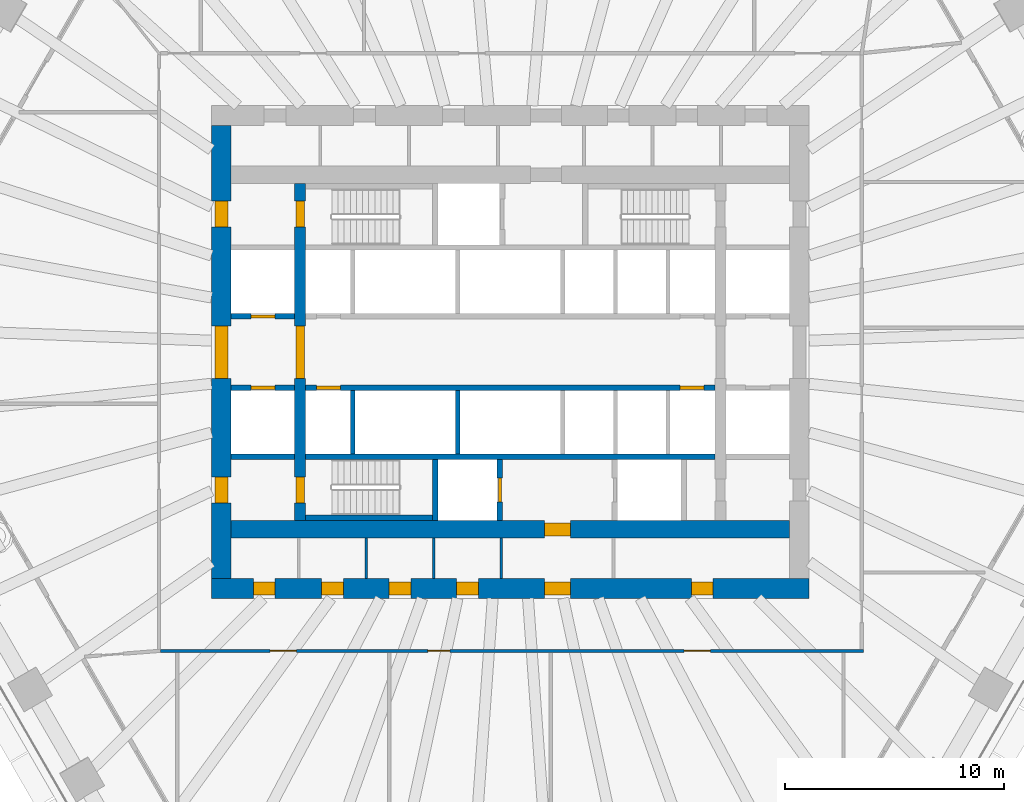
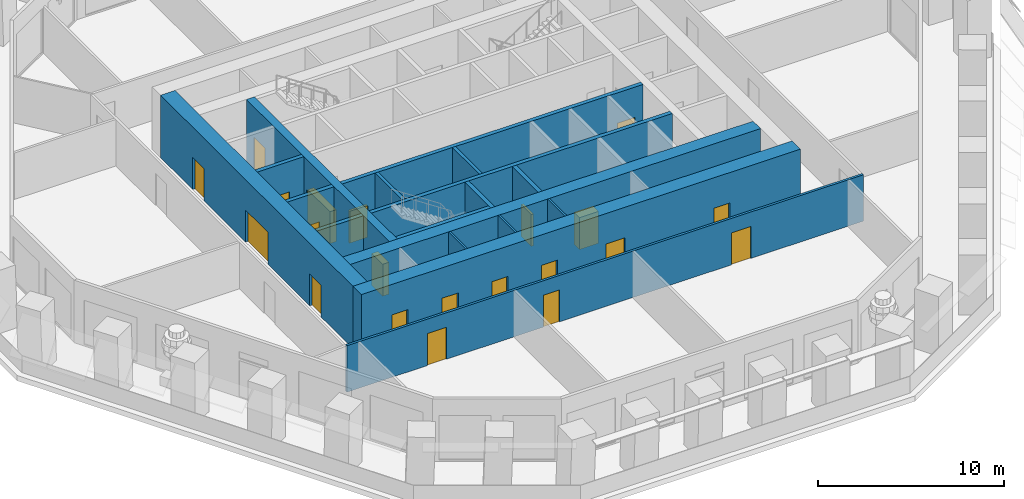
# One storey, part 4 of 12: 21 doors, 18 walls, 21 openings.
"""IFC4 building model written with IfcOpenShell, lengths in metres."""

from ifc_helpers import new_model, si_unit, direction, frame, frame_2d, origin, place, context, subcontext, project, spatial, rectangle, extrude, material, layer, layer_set, type_object, element, fill, save


model = new_model("IFC4")

# Units and contexts
model_context = context("Model", 3, precision=1e-05, world=origin(), true_north=direction((0.0, 1.0)))
body_context = subcontext(model_context, "Body", "Model", "MODEL_VIEW")
ifc_project = project(units=[si_unit("LENGTHUNIT", "METRE"), si_unit("AREAUNIT", "SQUARE_METRE"), si_unit("VOLUMEUNIT", "CUBIC_METRE"), si_unit("PLANEANGLEUNIT", "RADIAN"), si_unit("MASSUNIT", "GRAM", prefix="KILO")], contexts=[model_context])

# Site, building, storey
site_placement = place(None, origin())
site = spatial("IfcSite", under=ifc_project, at=site_placement, CompositionType="ELEMENT")
building_placement = place(site_placement, origin())
building = spatial("IfcBuilding", under=site, at=building_placement, Name="Frailejon Research Tower", CompositionType="ELEMENT")
storey_placement = place(building_placement, frame((0.0, 0.0, 49.800048828125)))
storey = spatial("IfcBuildingStorey", under=building, at=storey_placement, Name="L11", CompositionType="ELEMENT", Elevation=49.800048828125)

# Walls
ifc_material_1 = material(Name="Plasterboard on steel studs", Category="steel")
ifc_layer_1 = layer(ifc_material_1, 0.125)
ifc_layer_set_1 = layer_set([ifc_layer_1], Name="Core partition 125")
wall_type_1 = type_object("IfcWallType", Name="Core partition 125", PredefinedType="PARTITIONING", material=ifc_layer_set_1)
for number, where, z_axis, x_axis, name in (
    (1, (-6.581298828125, -10.35009765625, 0.0), (0.0, 0.0, 1.0), (0.0, 1.0, 0.0), "Core partition"),
    (2, (-3.496826171875, -10.35009765625, 0.0), (0.0, 0.0, 1.0), (0.0, 1.0, 0.0), "Core partition"),
    (3, (-0.41259765625, -10.35009765625, 0.0), (0.0, 0.0, 1.0), (0.0, 1.0, 0.0), "Core partition"),
):
    element("IfcWall", number, at=place(storey_placement, frame(where, z_axis=z_axis, x_axis=x_axis)), inside=storey, type_object=wall_type_1, Name=name, PredefinedType="PARTITIONING", context=body_context, shape_type="SweptSolid", body=[
        extrude(rectangle(XDim=1.85009765625, YDim=0.125, at=frame_2d((0.925048828125, 0.0))), origin(), (0.0, 0.0, 1.0), 4.099853515625),
    ])

# Wall, openings, doors
ifc_material_2 = material(Name="Concrete C70/85", Category="concrete")
ifc_layer_2 = layer(ifc_material_2, 0.5)
ifc_layer_set_2 = layer_set([ifc_layer_2], Name="Core shear wall 500 C70/85")
wall_type_2 = type_object("IfcWallType", Name="Core shear wall 500 C70/85", PredefinedType="SHEAR", material=ifc_layer_set_2)
wall_1_placement = place(storey_placement, frame((-9.60009765625, -7.699951171875, 0.0), z_axis=(0.0, 0.0, 1.0), x_axis=(0.0, 1.0, 0.0)))
wall_1 = element("IfcWall", 4, at=wall_1_placement, inside=storey, type_object=wall_type_2, Name="Core shear wall", PredefinedType="SHEAR", context=body_context, shape_type="SweptSolid", body=[
    extrude(rectangle(XDim=15.39990234375, YDim=0.5, at=frame_2d((7.699951171875, 0.0))), origin(), (0.0, 0.0, 1.0), 4.099853515625),
])
opening_1_placement = place(wall_1_placement, frame((6.5, 0.0, 0.0)))
opening_1 = element("IfcOpeningElement", 5, at=opening_1_placement, cuts=wall_1, Name="Opening D2", PredefinedType="OPENING", context=body_context, shape_type="SweptSolid", body=[
    extrude(rectangle(XDim=2.39990234375, YDim=2.10009765625, at=frame_2d((1.199951171875, 1.050048828125))), frame((0.0, 0.260009765625, 0.0), z_axis=(0.0, -1.0, 0.0), x_axis=(1.0, 0.0, 0.0)), (0.0, 0.0, 1.0), 0.52001953125),
])
opening_2_placement = place(wall_1_placement, frame((13.39990234375, 0.0, 0.0)))
opening_2 = element("IfcOpeningElement", 6, at=opening_2_placement, cuts=wall_1, Name="Opening D1", PredefinedType="OPENING", context=body_context, shape_type="SweptSolid", body=[
    extrude(rectangle(XDim=1.199951171875, YDim=2.10009765625, at=frame_2d((0.60009765625, 1.050048828125))), frame((0.0, 0.260009765625, 0.0), z_axis=(0.0, -1.0, 0.0), x_axis=(1.0, 0.0, 0.0)), (0.0, 0.0, 1.0), 0.52001953125),
])
opening_3_placement = place(wall_1_placement, frame((0.800048828125, 0.0, 0.0)))
opening_3 = element("IfcOpeningElement", 7, at=opening_3_placement, cuts=wall_1, Name="Opening D1", PredefinedType="OPENING", context=body_context, shape_type="SweptSolid", body=[
    extrude(rectangle(XDim=1.199951171875, YDim=2.10009765625, at=frame_2d((0.60009765625, 1.050048828125))), frame((0.0, 0.260009765625, 0.0), z_axis=(0.0, -1.0, 0.0), x_axis=(1.0, 0.0, 0.0)), (0.0, 0.0, 1.0), 0.52001953125),
])
ifc_material_3 = material(Name="Steel", Category="steel")
door_type_1 = type_object("IfcDoorType", Name="Lobby double door", OperationType="DOUBLE_DOOR_SINGLE_SWING", PredefinedType="DOOR", material=ifc_material_3)
door_1_placement = place(opening_1_placement, origin())
door_1 = element("IfcDoor", 8, at=door_1_placement, inside=storey, type_object=door_type_1, Name="Lobby door", OperationType="DOUBLE_DOOR_SINGLE_SWING", OverallHeight=2.10009765625, OverallWidth=2.39990234375, PredefinedType="DOOR", context=body_context, shape_type="SweptSolid", body=[
    extrude(rectangle(XDim=2.39990234375, YDim=2.10009765625, at=frame_2d((1.199951171875, 1.050048828125))), frame((0.0, 0.199951171875, 0.0), z_axis=(0.0, -1.0, 0.0), x_axis=(1.0, 0.0, 0.0)), (0.0, 0.0, 1.0), 0.39990234375),
])
fill(opening_1, door_1)
ifc_material_4 = material(Name="Steel", Category="steel")
door_type_2 = type_object("IfcDoorType", Name="Stair door", OperationType="SINGLE_SWING_LEFT", PredefinedType="DOOR", material=ifc_material_4)
door_2_placement = place(opening_2_placement, origin())
door_2 = element("IfcDoor", 9, at=door_2_placement, inside=storey, type_object=door_type_2, Name="Stair door ST1", OperationType="SINGLE_SWING_RIGHT", OverallHeight=2.10009765625, OverallWidth=1.199951171875, PredefinedType="DOOR", context=body_context, shape_type="SweptSolid", body=[
    extrude(rectangle(XDim=1.199951171875, YDim=2.10009765625, at=frame_2d((0.60009765625, 1.050048828125))), frame((0.0, 0.199951171875, 0.0), z_axis=(0.0, -1.0, 0.0), x_axis=(1.0, 0.0, 0.0)), (0.0, 0.0, 1.0), 0.39990234375),
])
fill(opening_2, door_2)
door_3_placement = place(opening_3_placement, origin())
door_3 = element("IfcDoor", 10, at=door_3_placement, inside=storey, type_object=door_type_2, Name="Stair door ST2", OperationType="SINGLE_SWING_RIGHT", OverallHeight=2.10009765625, OverallWidth=1.199951171875, PredefinedType="DOOR", context=body_context, shape_type="SweptSolid", body=[
    extrude(rectangle(XDim=1.199951171875, YDim=2.10009765625, at=frame_2d((0.60009765625, 1.050048828125))), frame((0.0, 0.199951171875, 0.0), z_axis=(0.0, -1.0, 0.0), x_axis=(1.0, 0.0, 0.0)), (0.0, 0.0, 1.0), 0.39990234375),
])
fill(opening_3, door_3)

# Wall, opening, door
ifc_material_5 = material(Name="Concrete C70/85", Category="concrete")
ifc_layer_3 = layer(ifc_material_5, 0.800048828125)
ifc_layer_set_3 = layer_set([ifc_layer_3], Name="Core shear wall 800 C70/85")
wall_type_3 = type_object("IfcWallType", Name="Core shear wall 800 C70/85", PredefinedType="SHEAR", material=ifc_layer_set_3)
wall_2_placement = place(storey_placement, frame((-12.75, -8.10009765625, 0.0), z_axis=(0.0, 0.0, 1.0), x_axis=(1.0, 0.0, 0.0)))
wall_2 = element("IfcWall", 11, at=wall_2_placement, inside=storey, type_object=wall_type_3, Name="Core shear wall", PredefinedType="SHEAR", context=body_context, shape_type="SweptSolid", body=[
    extrude(rectangle(XDim=25.5, YDim=0.800048828125, at=frame_2d((12.75, 0.0))), origin(), (0.0, 0.0, 1.0), 4.099853515625),
])
opening_4_placement = place(wall_2_placement, frame((14.300048828125, 0.0, 0.0)))
opening_4 = element("IfcOpeningElement", 12, at=opening_4_placement, cuts=wall_2, Name="Opening D3", PredefinedType="OPENING", context=body_context, shape_type="SweptSolid", body=[
    extrude(rectangle(XDim=1.199951171875, YDim=2.10009765625, at=frame_2d((0.60009765625, 1.050048828125))), frame((0.0, 0.409912109375, 0.0), z_axis=(0.0, -1.0, 0.0), x_axis=(1.0, 0.0, 0.0)), (0.0, 0.0, 1.0), 0.820068359375),
])
ifc_material_6 = material(Name="Steel", Category="steel")
door_type_3 = type_object("IfcDoorType", Name="Firefighting lobby door", OperationType="SINGLE_SWING_LEFT", PredefinedType="DOOR", material=ifc_material_6)
door_4_placement = place(opening_4_placement, origin())
door_4 = element("IfcDoor", 13, at=door_4_placement, inside=storey, type_object=door_type_3, Name="Firefighting lobby door", OperationType="SINGLE_SWING_RIGHT", OverallHeight=2.10009765625, OverallWidth=1.199951171875, PredefinedType="DOOR", context=body_context, shape_type="SweptSolid", body=[
    extrude(rectangle(XDim=1.199951171875, YDim=2.10009765625, at=frame_2d((0.60009765625, 1.050048828125))), frame((0.0, 0.300048828125, 0.0), z_axis=(0.0, -1.0, 0.0), x_axis=(1.0, 0.0, 0.0)), (0.0, 0.0, 1.0), 0.60009765625),
])
fill(opening_4, door_4)

# Wall, openings, doors
ifc_material_7 = material(Name="Concrete C70/85", Category="concrete")
ifc_layer_4 = layer(ifc_material_7, 0.89990234375)
ifc_layer_set_4 = layer_set([ifc_layer_4], Name="Core shear wall 900 C70/85")
wall_type_4 = type_object("IfcWallType", Name="Core shear wall 900 C70/85", PredefinedType="SHEAR", material=ifc_layer_set_4)
wall_3_placement = place(storey_placement, frame((-13.64990234375, -10.800048828125, 0.0), z_axis=(0.0, 0.0, 1.0), x_axis=(1.0, 0.0, 0.0)))
wall_3 = element("IfcWall", 14, at=wall_3_placement, inside=storey, type_object=wall_type_4, Name="Core shear wall", PredefinedType="SHEAR", context=body_context, shape_type="SweptSolid", body=[
    extrude(rectangle(XDim=27.2998046875, YDim=0.89990234375, at=frame_2d((13.64990234375, 0.0))), origin(), (0.0, 0.0, 1.0), 4.099853515625),
])
opening_5_placement = place(wall_3_placement, frame((1.910888671875, 0.0, 0.0)))
opening_5 = element("IfcOpeningElement", 15, at=opening_5_placement, cuts=wall_3, Name="Opening D4", PredefinedType="OPENING", context=body_context, shape_type="SweptSolid", body=[
    extrude(rectangle(XDim=1.0, YDim=2.10009765625, at=frame_2d((0.5, 1.050048828125))), frame((0.0, 0.4599609375, 0.0), z_axis=(0.0, -1.0, 0.0), x_axis=(1.0, 0.0, 0.0)), (0.0, 0.0, 1.0), 0.919921875),
])
opening_6_placement = place(wall_3_placement, frame((5.026611328125, 0.0, 0.0)))
opening_6 = element("IfcOpeningElement", 16, at=opening_6_placement, cuts=wall_3, Name="Opening D4", PredefinedType="OPENING", context=body_context, shape_type="SweptSolid", body=[
    extrude(rectangle(XDim=1.0, YDim=2.10009765625, at=frame_2d((0.5, 1.050048828125))), frame((0.0, 0.4599609375, 0.0), z_axis=(0.0, -1.0, 0.0), x_axis=(1.0, 0.0, 0.0)), (0.0, 0.0, 1.0), 0.919921875),
])
opening_7_placement = place(wall_3_placement, frame((8.11083984375, 0.0, 0.0)))
opening_7 = element("IfcOpeningElement", 17, at=opening_7_placement, cuts=wall_3, Name="Opening D4", PredefinedType="OPENING", context=body_context, shape_type="SweptSolid", body=[
    extrude(rectangle(XDim=1.0, YDim=2.10009765625, at=frame_2d((0.5, 1.050048828125))), frame((0.0, 0.4599609375, 0.0), z_axis=(0.0, -1.0, 0.0), x_axis=(1.0, 0.0, 0.0)), (0.0, 0.0, 1.0), 0.919921875),
])
opening_8_placement = place(wall_3_placement, frame((11.1953125, 0.0, 0.0)))
opening_8 = element("IfcOpeningElement", 18, at=opening_8_placement, cuts=wall_3, Name="Opening D4", PredefinedType="OPENING", context=body_context, shape_type="SweptSolid", body=[
    extrude(rectangle(XDim=1.0, YDim=2.10009765625, at=frame_2d((0.5, 1.050048828125))), frame((0.0, 0.4599609375, 0.0), z_axis=(0.0, -1.0, 0.0), x_axis=(1.0, 0.0, 0.0)), (0.0, 0.0, 1.0), 0.919921875),
])
opening_9_placement = place(wall_3_placement, frame((21.91259765625, 0.0, 0.0)))
opening_9 = element("IfcOpeningElement", 19, at=opening_9_placement, cuts=wall_3, Name="Opening D4", PredefinedType="OPENING", context=body_context, shape_type="SweptSolid", body=[
    extrude(rectangle(XDim=1.0, YDim=2.10009765625, at=frame_2d((0.5, 1.050048828125))), frame((0.0, 0.4599609375, 0.0), z_axis=(0.0, -1.0, 0.0), x_axis=(1.0, 0.0, 0.0)), (0.0, 0.0, 1.0), 0.919921875),
])
opening_10_placement = place(wall_3_placement, frame((15.199951171875, 0.0, 0.0)))
opening_10 = element("IfcOpeningElement", 20, at=opening_10_placement, cuts=wall_3, Name="Opening D3", PredefinedType="OPENING", context=body_context, shape_type="SweptSolid", body=[
    extrude(rectangle(XDim=1.199951171875, YDim=2.10009765625, at=frame_2d((0.60009765625, 1.050048828125))), frame((0.0, 0.4599609375, 0.0), z_axis=(0.0, -1.0, 0.0), x_axis=(1.0, 0.0, 0.0)), (0.0, 0.0, 1.0), 0.919921875),
])
door_5_placement = place(opening_10_placement, origin())
door_5 = element("IfcDoor", 21, at=door_5_placement, inside=storey, type_object=door_type_3, Name="Passage door", OperationType="SINGLE_SWING_RIGHT", OverallHeight=2.10009765625, OverallWidth=1.199951171875, PredefinedType="DOOR", context=body_context, shape_type="SweptSolid", body=[
    extrude(rectangle(XDim=1.199951171875, YDim=2.10009765625, at=frame_2d((0.60009765625, 1.050048828125))), frame((0.0, 0.300048828125, 0.0), z_axis=(0.0, -1.0, 0.0), x_axis=(1.0, 0.0, 0.0)), (0.0, 0.0, 1.0), 0.60009765625),
])
fill(opening_10, door_5)
ifc_material_8 = material(Name="Steel", Category="steel")
door_type_4 = type_object("IfcDoorType", Name="Service door", OperationType="SINGLE_SWING_LEFT", PredefinedType="DOOR", material=ifc_material_8)
door_6_placement = place(opening_5_placement, origin())
door_6 = element("IfcDoor", 22, at=door_6_placement, inside=storey, type_object=door_type_4, Name="Room door", OperationType="SINGLE_SWING_LEFT", OverallHeight=2.10009765625, OverallWidth=1.0, PredefinedType="DOOR", context=body_context, shape_type="SweptSolid", body=[
    extrude(rectangle(XDim=1.0, YDim=2.10009765625, at=frame_2d((0.5, 1.050048828125))), frame((0.0, 0.300048828125, 0.0), z_axis=(0.0, -1.0, 0.0), x_axis=(1.0, 0.0, 0.0)), (0.0, 0.0, 1.0), 0.60009765625),
])
fill(opening_5, door_6)
door_7_placement = place(opening_6_placement, origin())
door_7 = element("IfcDoor", 23, at=door_7_placement, inside=storey, type_object=door_type_4, Name="Room door", OperationType="SINGLE_SWING_RIGHT", OverallHeight=2.10009765625, OverallWidth=1.0, PredefinedType="DOOR", context=body_context, shape_type="SweptSolid", body=[
    extrude(rectangle(XDim=1.0, YDim=2.10009765625, at=frame_2d((0.5, 1.050048828125))), frame((0.0, 0.300048828125, 0.0), z_axis=(0.0, -1.0, 0.0), x_axis=(1.0, 0.0, 0.0)), (0.0, 0.0, 1.0), 0.60009765625),
])
fill(opening_6, door_7)
door_8_placement = place(opening_7_placement, origin())
door_8 = element("IfcDoor", 24, at=door_8_placement, inside=storey, type_object=door_type_4, Name="Room door", OperationType="SINGLE_SWING_LEFT", OverallHeight=2.10009765625, OverallWidth=1.0, PredefinedType="DOOR", context=body_context, shape_type="SweptSolid", body=[
    extrude(rectangle(XDim=1.0, YDim=2.10009765625, at=frame_2d((0.5, 1.050048828125))), frame((0.0, 0.300048828125, 0.0), z_axis=(0.0, -1.0, 0.0), x_axis=(1.0, 0.0, 0.0)), (0.0, 0.0, 1.0), 0.60009765625),
])
fill(opening_7, door_8)
door_9_placement = place(opening_8_placement, origin())
door_9 = element("IfcDoor", 25, at=door_9_placement, inside=storey, type_object=door_type_4, Name="Room door", OperationType="SINGLE_SWING_RIGHT", OverallHeight=2.10009765625, OverallWidth=1.0, PredefinedType="DOOR", context=body_context, shape_type="SweptSolid", body=[
    extrude(rectangle(XDim=1.0, YDim=2.10009765625, at=frame_2d((0.5, 1.050048828125))), frame((0.0, 0.300048828125, 0.0), z_axis=(0.0, -1.0, 0.0), x_axis=(1.0, 0.0, 0.0)), (0.0, 0.0, 1.0), 0.60009765625),
])
fill(opening_8, door_9)
door_10_placement = place(opening_9_placement, origin())
door_10 = element("IfcDoor", 26, at=door_10_placement, inside=storey, type_object=door_type_4, Name="Room door", OperationType="SINGLE_SWING_LEFT", OverallHeight=2.10009765625, OverallWidth=1.0, PredefinedType="DOOR", context=body_context, shape_type="SweptSolid", body=[
    extrude(rectangle(XDim=1.0, YDim=2.10009765625, at=frame_2d((0.5, 1.050048828125))), frame((0.0, 0.300048828125, 0.0), z_axis=(0.0, -1.0, 0.0), x_axis=(1.0, 0.0, 0.0)), (0.0, 0.0, 1.0), 0.60009765625),
])
fill(opening_9, door_10)

wall_4_placement = place(storey_placement, frame((-13.199951171875, -10.35009765625, 0.0), z_axis=(0.0, 0.0, 1.0), x_axis=(0.0, 1.0, 0.0)))
wall_4 = element("IfcWall", 27, at=wall_4_placement, inside=storey, type_object=wall_type_4, Name="Core shear wall", PredefinedType="SHEAR", context=body_context, shape_type="SweptSolid", body=[
    extrude(rectangle(XDim=20.7001953125, YDim=0.89990234375, at=frame_2d((10.35009765625, 0.0))), origin(), (0.0, 0.0, 1.0), 4.099853515625),
])
opening_11_placement = place(wall_4_placement, frame((9.14990234375, 0.0, 0.0)))
opening_11 = element("IfcOpeningElement", 28, at=opening_11_placement, cuts=wall_4, Name="Opening D2", PredefinedType="OPENING", context=body_context, shape_type="SweptSolid", body=[
    extrude(rectangle(XDim=2.39990234375, YDim=2.10009765625, at=frame_2d((1.199951171875, 1.050048828125))), frame((0.0, 0.4599609375, 0.0), z_axis=(0.0, -1.0, 0.0), x_axis=(1.0, 0.0, 0.0)), (0.0, 0.0, 1.0), 0.919921875),
])
opening_12_placement = place(wall_4_placement, frame((16.050048828125, 0.0, 0.0)))
opening_12 = element("IfcOpeningElement", 29, at=opening_12_placement, cuts=wall_4, Name="Opening D7", PredefinedType="OPENING", context=body_context, shape_type="SweptSolid", body=[
    extrude(rectangle(XDim=1.199951171875, YDim=2.10009765625, at=frame_2d((0.60009765625, 1.050048828125))), frame((0.0, 0.4599609375, 0.0), z_axis=(0.0, -1.0, 0.0), x_axis=(1.0, 0.0, 0.0)), (0.0, 0.0, 1.0), 0.919921875),
])
opening_13_placement = place(wall_4_placement, frame((3.449951171875, 0.0, 0.0)))
opening_13 = element("IfcOpeningElement", 30, at=opening_13_placement, cuts=wall_4, Name="Opening D7", PredefinedType="OPENING", context=body_context, shape_type="SweptSolid", body=[
    extrude(rectangle(XDim=1.199951171875, YDim=2.10009765625, at=frame_2d((0.60009765625, 1.050048828125))), frame((0.0, 0.4599609375, 0.0), z_axis=(0.0, -1.0, 0.0), x_axis=(1.0, 0.0, 0.0)), (0.0, 0.0, 1.0), 0.919921875),
])
door_11_placement = place(opening_11_placement, origin())
door_11 = element("IfcDoor", 31, at=door_11_placement, inside=storey, type_object=door_type_1, Name="Lobby door", OperationType="DOUBLE_DOOR_SINGLE_SWING", OverallHeight=2.10009765625, OverallWidth=2.39990234375, PredefinedType="DOOR", context=body_context, shape_type="SweptSolid", body=[
    extrude(rectangle(XDim=2.39990234375, YDim=2.10009765625, at=frame_2d((1.199951171875, 1.050048828125))), frame((0.0, 0.300048828125, 0.0), z_axis=(0.0, -1.0, 0.0), x_axis=(1.0, 0.0, 0.0)), (0.0, 0.0, 1.0), 0.60009765625),
])
fill(opening_11, door_11)
ifc_material_9 = material(Name="Steel", Category="steel")
door_type_5 = type_object("IfcDoorType", Name="Stair exit door", OperationType="SINGLE_SWING_LEFT", PredefinedType="DOOR", material=ifc_material_9)
door_12_placement = place(opening_12_placement, origin())
door_12 = element("IfcDoor", 32, at=door_12_placement, inside=storey, type_object=door_type_5, Name="Stair exit door ST1", OperationType="SINGLE_SWING_LEFT", OverallHeight=2.10009765625, OverallWidth=1.199951171875, PredefinedType="DOOR", context=body_context, shape_type="SweptSolid", body=[
    extrude(rectangle(XDim=1.199951171875, YDim=2.10009765625, at=frame_2d((0.60009765625, 1.050048828125))), frame((0.0, 0.300048828125, 0.0), z_axis=(0.0, -1.0, 0.0), x_axis=(1.0, 0.0, 0.0)), (0.0, 0.0, 1.0), 0.60009765625),
])
fill(opening_12, door_12)
door_13_placement = place(opening_13_placement, origin())
door_13 = element("IfcDoor", 33, at=door_13_placement, inside=storey, type_object=door_type_5, Name="Stair exit door ST2", OperationType="SINGLE_SWING_LEFT", OverallHeight=2.10009765625, OverallWidth=1.199951171875, PredefinedType="DOOR", context=body_context, shape_type="SweptSolid", body=[
    extrude(rectangle(XDim=1.199951171875, YDim=2.10009765625, at=frame_2d((0.60009765625, 1.050048828125))), frame((0.0, 0.300048828125, 0.0), z_axis=(0.0, -1.0, 0.0), x_axis=(1.0, 0.0, 0.0)), (0.0, 0.0, 1.0), 0.60009765625),
])
fill(opening_13, door_13)

ifc_material_10 = material(Name="Gypsum board and masonry partition", Category="masonry")
ifc_layer_5 = layer(ifc_material_10, 0.14990234375)
ifc_layer_set_5 = layer_set([ifc_layer_5], Name="Corridor wall EI 60, gypsum on steel studs 150")
wall_type_5 = type_object("IfcWallType", Name="Corridor wall EI 60, gypsum on steel studs 150", PredefinedType="PARTITIONING", material=ifc_layer_set_5)
wall_5_placement = place(storey_placement, frame((-15.97509765625, -13.64990234375, 0.0), z_axis=(0.0, 0.0, 1.0), x_axis=(1.0, 0.0, 0.0)))
wall_5 = element("IfcWall", 34, at=wall_5_placement, inside=storey, type_object=wall_type_5, Name="T:IW:L11:004", PredefinedType="PARTITIONING", context=body_context, shape_type="SweptSolid", body=[
    extrude(rectangle(XDim=32.10009765625, YDim=0.14990234375, at=frame_2d((16.050048828125, 0.0))), origin(), (0.0, 0.0, 1.0), 3.050048828125),
])
opening_14_placement = place(wall_5_placement, frame((5.000732421875, 0.0, 0.0)))
opening_14 = element("IfcOpeningElement", 35, at=opening_14_placement, cuts=wall_5, Name="Opening D1414", PredefinedType="OPENING", context=body_context, shape_type="SweptSolid", body=[
    extrude(rectangle(XDim=1.199951171875, YDim=2.10009765625, at=frame_2d((0.60009765625, 1.050048828125))), frame((0.0, 0.0849609375, 0.0), z_axis=(0.0, -1.0, 0.0), x_axis=(1.0, 0.0, 0.0)), (0.0, 0.0, 1.0), 0.169921875),
])
opening_15_placement = place(wall_5_placement, frame((12.212890625, 0.0, 0.0)))
opening_15 = element("IfcOpeningElement", 36, at=opening_15_placement, cuts=wall_5, Name="Opening D1415", PredefinedType="OPENING", context=body_context, shape_type="SweptSolid", body=[
    extrude(rectangle(XDim=1.0, YDim=2.10009765625, at=frame_2d((0.5, 1.050048828125))), frame((0.0, 0.0849609375, 0.0), z_axis=(0.0, -1.0, 0.0), x_axis=(1.0, 0.0, 0.0)), (0.0, 0.0, 1.0), 0.169921875),
])
opening_16_placement = place(wall_5_placement, frame((23.905517578125, 0.0, 0.0)))
opening_16 = element("IfcOpeningElement", 37, at=opening_16_placement, cuts=wall_5, Name="Opening D1416", PredefinedType="OPENING", context=body_context, shape_type="SweptSolid", body=[
    extrude(rectangle(XDim=1.199951171875, YDim=2.10009765625, at=frame_2d((0.60009765625, 1.050048828125))), frame((0.0, 0.0849609375, 0.0), z_axis=(0.0, -1.0, 0.0), x_axis=(1.0, 0.0, 0.0)), (0.0, 0.0, 1.0), 0.169921875),
])
ifc_material_11 = material(Name="Timber door leaf", Category="wood")
door_type_6 = type_object("IfcDoorType", Name="Door laboratory, timber, vision panel 1200", OperationType="NOTDEFINED", PredefinedType="DOOR", material=ifc_material_11)
door_14_placement = place(opening_14_placement, origin())
door_14 = element("IfcDoor", 38, at=door_14_placement, inside=storey, type_object=door_type_6, Name="D1414", OperationType="DOUBLE_DOOR_SINGLE_SWING", OverallHeight=2.10009765625, OverallWidth=1.199951171875, PredefinedType="DOOR", context=body_context, shape_type="SweptSolid", body=[
    extrude(rectangle(XDim=1.199951171875, YDim=2.10009765625, at=frame_2d((0.60009765625, 1.050048828125))), frame((0.0, 0.02490234375, 0.0), z_axis=(0.0, -1.0, 0.0), x_axis=(1.0, 0.0, 0.0)), (0.0, 0.0, 1.0), 0.050048828125),
])
fill(opening_14, door_14)
door_15_placement = place(opening_16_placement, origin())
door_15 = element("IfcDoor", 39, at=door_15_placement, inside=storey, type_object=door_type_6, Name="D1416", OperationType="DOUBLE_DOOR_SINGLE_SWING", OverallHeight=2.10009765625, OverallWidth=1.199951171875, PredefinedType="DOOR", context=body_context, shape_type="SweptSolid", body=[
    extrude(rectangle(XDim=1.199951171875, YDim=2.10009765625, at=frame_2d((0.60009765625, 1.050048828125))), frame((0.0, 0.02490234375, 0.0), z_axis=(0.0, -1.0, 0.0), x_axis=(1.0, 0.0, 0.0)), (0.0, 0.0, 1.0), 0.050048828125),
])
fill(opening_16, door_15)
ifc_material_12 = material(Name="Timber door leaf", Category="wood")
door_type_7 = type_object("IfcDoorType", Name="Door single leaf, timber, steel frame 1000", OperationType="NOTDEFINED", PredefinedType="DOOR", material=ifc_material_12)
door_16_placement = place(opening_15_placement, origin())
door_16 = element("IfcDoor", 40, at=door_16_placement, inside=storey, type_object=door_type_7, Name="D1415", OperationType="SINGLE_SWING_RIGHT", OverallHeight=2.10009765625, OverallWidth=1.0, PredefinedType="DOOR", context=body_context, shape_type="SweptSolid", body=[
    extrude(rectangle(XDim=1.0, YDim=2.10009765625, at=frame_2d((0.5, 1.050048828125))), frame((0.0, 0.02490234375, 0.0), z_axis=(0.0, -1.0, 0.0), x_axis=(1.0, 0.0, 0.0)), (0.0, 0.0, 1.0), 0.050048828125),
])
fill(opening_15, door_16)

# Walls
ifc_material_13 = material(Name="Concrete C70/85", Category="concrete")
ifc_layer_6 = layer(ifc_material_13, 0.199951171875)
ifc_layer_set_6 = layer_set([ifc_layer_6], Name="Shaft wall 200 C70/85")
wall_type_6 = type_object("IfcWallType", Name="Shaft wall 200 C70/85", PredefinedType="SOLIDWALL", material=ifc_layer_set_6)
for number, where, z_axis, x_axis, name in (
    (41, (-7.199951171875, -4.64990234375, 0.0), (0.0, 0.0, 1.0), (0.0, 1.0, 0.0), "Shaft wall"),
    (42, (-2.39990234375, -4.64990234375, 0.0), (0.0, 0.0, 1.0), (0.0, 1.0, 0.0), "Shaft wall"),
):
    element("IfcWall", number, at=place(storey_placement, frame(where, z_axis=z_axis, x_axis=x_axis)), inside=storey, type_object=wall_type_6, Name=name, PredefinedType="SOLIDWALL", context=body_context, shape_type="SweptSolid", body=[
        extrude(rectangle(XDim=2.89990234375, YDim=0.199951171875, at=frame_2d((1.449951171875, 0.0))), origin(), (0.0, 0.0, 1.0), 4.099853515625),
    ])

# Wall, opening, door
ifc_material_14 = material(Name="Concrete C70/85", Category="concrete")
ifc_layer_7 = layer(ifc_material_14, 0.25)
ifc_layer_set_7 = layer_set([ifc_layer_7], Name="Shaft wall 250 C70/85")
wall_type_7 = type_object("IfcWallType", Name="Shaft wall 250 C70/85", PredefinedType="SOLIDWALL", material=ifc_layer_set_7)
wall_6_placement = place(storey_placement, frame((-12.75, 1.625, 0.0), z_axis=(0.0, 0.0, 1.0), x_axis=(1.0, 0.0, 0.0)))
wall_6 = element("IfcWall", 43, at=wall_6_placement, inside=storey, type_object=wall_type_7, Name="Shaft wall", PredefinedType="SOLIDWALL", context=body_context, shape_type="SweptSolid", body=[
    extrude(rectangle(XDim=2.89990234375, YDim=0.25, at=frame_2d((1.449951171875, 0.0))), origin(), (0.0, 0.0, 1.0), 4.099853515625),
])
opening_17_placement = place(wall_6_placement, frame((0.89990234375, 0.0, 0.0)))
opening_17 = element("IfcOpeningElement", 44, at=opening_17_placement, cuts=wall_6, Name="Opening LD", PredefinedType="OPENING", context=body_context, shape_type="SweptSolid", body=[
    extrude(rectangle(XDim=1.10009765625, YDim=2.10009765625, at=frame_2d((0.550048828125, 1.050048828125))), frame((0.0, 0.135009765625, 0.0), z_axis=(0.0, -1.0, 0.0), x_axis=(1.0, 0.0, 0.0)), (0.0, 0.0, 1.0), 0.27001953125),
])
ifc_material_15 = material(Name="Steel", Category="steel")
door_type_8 = type_object("IfcDoorType", Name="Lift landing door", OperationType="DOUBLE_DOOR_SLIDING", PredefinedType="DOOR", material=ifc_material_15)
door_17_placement = place(opening_17_placement, origin())
door_17 = element("IfcDoor", 45, at=door_17_placement, inside=storey, type_object=door_type_8, Name="Lift landing door", OperationType="DOUBLE_DOOR_SLIDING", OverallHeight=2.10009765625, OverallWidth=1.10009765625, PredefinedType="DOOR", context=body_context, shape_type="SweptSolid", body=[
    extrude(rectangle(XDim=1.10009765625, YDim=2.10009765625, at=frame_2d((0.550048828125, 1.050048828125))), frame((0.0, 0.074951171875, 0.0), z_axis=(0.0, -1.0, 0.0), x_axis=(1.0, 0.0, 0.0)), (0.0, 0.0, 1.0), 0.14990234375),
])
fill(opening_17, door_17)

wall_7_placement = place(storey_placement, frame((-12.75, -1.625, 0.0), z_axis=(0.0, 0.0, 1.0), x_axis=(1.0, 0.0, 0.0)))
wall_7 = element("IfcWall", 46, at=wall_7_placement, inside=storey, type_object=wall_type_7, Name="Shaft wall", PredefinedType="SOLIDWALL", context=body_context, shape_type="SweptSolid", body=[
    extrude(rectangle(XDim=2.89990234375, YDim=0.25, at=frame_2d((1.449951171875, 0.0))), origin(), (0.0, 0.0, 1.0), 4.099853515625),
])
opening_18_placement = place(wall_7_placement, frame((0.89990234375, 0.0, 0.0)))
opening_18 = element("IfcOpeningElement", 47, at=opening_18_placement, cuts=wall_7, Name="Opening LD", PredefinedType="OPENING", context=body_context, shape_type="SweptSolid", body=[
    extrude(rectangle(XDim=1.10009765625, YDim=2.10009765625, at=frame_2d((0.550048828125, 1.050048828125))), frame((0.0, 0.135009765625, 0.0), z_axis=(0.0, -1.0, 0.0), x_axis=(1.0, 0.0, 0.0)), (0.0, 0.0, 1.0), 0.27001953125),
])
door_18_placement = place(opening_18_placement, origin())
door_18 = element("IfcDoor", 48, at=door_18_placement, inside=storey, type_object=door_type_8, Name="Lift landing door", OperationType="DOUBLE_DOOR_SLIDING", OverallHeight=2.10009765625, OverallWidth=1.10009765625, PredefinedType="DOOR", context=body_context, shape_type="SweptSolid", body=[
    extrude(rectangle(XDim=1.10009765625, YDim=2.10009765625, at=frame_2d((0.550048828125, 1.050048828125))), frame((0.0, 0.074951171875, 0.0), z_axis=(0.0, -1.0, 0.0), x_axis=(1.0, 0.0, 0.0)), (0.0, 0.0, 1.0), 0.14990234375),
])
fill(opening_18, door_18)

# Wall, openings, doors
wall_8_placement = place(storey_placement, frame((-9.35009765625, -1.625, 0.0), z_axis=(0.0, 0.0, 1.0), x_axis=(1.0, 0.0, 0.0)))
wall_8 = element("IfcWall", 49, at=wall_8_placement, inside=storey, type_object=wall_type_7, Name="Shaft wall", PredefinedType="SOLIDWALL", context=body_context, shape_type="SweptSolid", body=[
    extrude(rectangle(XDim=18.7001953125, YDim=0.25, at=frame_2d((9.35009765625, 0.0))), origin(), (0.0, 0.0, 1.0), 4.099853515625),
])
opening_19_placement = place(wall_8_placement, frame((0.5, 0.0, 0.0)))
opening_19 = element("IfcOpeningElement", 50, at=opening_19_placement, cuts=wall_8, Name="Opening LD", PredefinedType="OPENING", context=body_context, shape_type="SweptSolid", body=[
    extrude(rectangle(XDim=1.10009765625, YDim=2.10009765625, at=frame_2d((0.550048828125, 1.050048828125))), frame((0.0, 0.135009765625, 0.0), z_axis=(0.0, -1.0, 0.0), x_axis=(1.0, 0.0, 0.0)), (0.0, 0.0, 1.0), 0.27001953125),
])
opening_20_placement = place(wall_8_placement, frame((17.10009765625, 0.0, 0.0)))
opening_20 = element("IfcOpeningElement", 51, at=opening_20_placement, cuts=wall_8, Name="Opening LD", PredefinedType="OPENING", context=body_context, shape_type="SweptSolid", body=[
    extrude(rectangle(XDim=1.10009765625, YDim=2.10009765625, at=frame_2d((0.550048828125, 1.050048828125))), frame((0.0, 0.135009765625, 0.0), z_axis=(0.0, -1.0, 0.0), x_axis=(1.0, 0.0, 0.0)), (0.0, 0.0, 1.0), 0.27001953125),
])
door_19_placement = place(opening_19_placement, origin())
door_19 = element("IfcDoor", 52, at=door_19_placement, inside=storey, type_object=door_type_8, Name="Lift landing door", OperationType="DOUBLE_DOOR_SLIDING", OverallHeight=2.10009765625, OverallWidth=1.10009765625, PredefinedType="DOOR", context=body_context, shape_type="SweptSolid", body=[
    extrude(rectangle(XDim=1.10009765625, YDim=2.10009765625, at=frame_2d((0.550048828125, 1.050048828125))), frame((0.0, 0.074951171875, 0.0), z_axis=(0.0, -1.0, 0.0), x_axis=(1.0, 0.0, 0.0)), (0.0, 0.0, 1.0), 0.14990234375),
])
fill(opening_19, door_19)
door_20_placement = place(opening_20_placement, origin())
door_20 = element("IfcDoor", 53, at=door_20_placement, inside=storey, type_object=door_type_8, Name="Lift landing door", OperationType="DOUBLE_DOOR_SLIDING", OverallHeight=2.10009765625, OverallWidth=1.10009765625, PredefinedType="DOOR", context=body_context, shape_type="SweptSolid", body=[
    extrude(rectangle(XDim=1.10009765625, YDim=2.10009765625, at=frame_2d((0.550048828125, 1.050048828125))), frame((0.0, 0.074951171875, 0.0), z_axis=(0.0, -1.0, 0.0), x_axis=(1.0, 0.0, 0.0)), (0.0, 0.0, 1.0), 0.14990234375),
])
fill(opening_20, door_20)

# Walls
wall_9_placement = place(storey_placement, frame((-12.75, -4.77490234375, 0.0), z_axis=(0.0, 0.0, 1.0), x_axis=(1.0, 0.0, 0.0)))
element("IfcWall", 54, at=wall_9_placement, inside=storey, type_object=wall_type_7, Name="Shaft wall", PredefinedType="SOLIDWALL", context=body_context, shape_type="SweptSolid", body=[
    extrude(rectangle(XDim=2.89990234375, YDim=0.25, at=frame_2d((1.449951171875, 0.0))), origin(), (0.0, 0.0, 1.0), 4.099853515625),
])
wall_10_placement = place(storey_placement, frame((-9.35009765625, -4.77490234375, 0.0), z_axis=(0.0, 0.0, 1.0), x_axis=(1.0, 0.0, 0.0)))
element("IfcWall", 55, at=wall_10_placement, inside=storey, type_object=wall_type_7, Name="Shaft wall", PredefinedType="SOLIDWALL", context=body_context, shape_type="SweptSolid", body=[
    extrude(rectangle(XDim=18.7001953125, YDim=0.25, at=frame_2d((9.35009765625, 0.0))), origin(), (0.0, 0.0, 1.0), 4.099853515625),
])
wall_11_placement = place(storey_placement, frame((-9.35009765625, -7.574951171875, 0.0), z_axis=(0.0, 0.0, 1.0), x_axis=(1.0, 0.0, 0.0)))
element("IfcWall", 56, at=wall_11_placement, inside=storey, type_object=wall_type_7, Name="Shaft wall", PredefinedType="SOLIDWALL", context=body_context, shape_type="SweptSolid", body=[
    extrude(rectangle(XDim=5.800048828125, YDim=0.25, at=frame_2d((2.89990234375, 0.0))), origin(), (0.0, 0.0, 1.0), 4.099853515625),
])
wall_12_placement = place(storey_placement, frame((-3.425048828125, -7.699951171875, 0.0), z_axis=(0.0, 0.0, 1.0), x_axis=(0.0, 1.0, 0.0)))
element("IfcWall", 57, at=wall_12_placement, inside=storey, type_object=wall_type_7, Name="Shaft wall", PredefinedType="SOLIDWALL", context=body_context, shape_type="SweptSolid", body=[
    extrude(rectangle(XDim=2.800048828125, YDim=0.25, at=frame_2d((1.39990234375, 0.0))), origin(), (0.0, 0.0, 1.0), 4.099853515625),
])

# Wall, opening, door
wall_13_placement = place(storey_placement, frame((-0.47509765625, -7.699951171875, 0.0), z_axis=(0.0, 0.0, 1.0), x_axis=(0.0, 1.0, 0.0)))
wall_13 = element("IfcWall", 58, at=wall_13_placement, inside=storey, type_object=wall_type_7, Name="Shaft wall", PredefinedType="SOLIDWALL", context=body_context, shape_type="SweptSolid", body=[
    extrude(rectangle(XDim=2.800048828125, YDim=0.25, at=frame_2d((1.39990234375, 0.0))), origin(), (0.0, 0.0, 1.0), 4.099853515625),
])
opening_21_placement = place(wall_13_placement, frame((0.85009765625, 0.0, 0.0)))
opening_21 = element("IfcOpeningElement", 59, at=opening_21_placement, cuts=wall_13, Name="Opening LD", PredefinedType="OPENING", context=body_context, shape_type="SweptSolid", body=[
    extrude(rectangle(XDim=1.10009765625, YDim=2.10009765625, at=frame_2d((0.550048828125, 1.050048828125))), frame((0.0, 0.135009765625, 0.0), z_axis=(0.0, -1.0, 0.0), x_axis=(1.0, 0.0, 0.0)), (0.0, 0.0, 1.0), 0.27001953125),
])
door_21_placement = place(opening_21_placement, origin())
door_21 = element("IfcDoor", 60, at=door_21_placement, inside=storey, type_object=door_type_8, Name="Lift landing door", OperationType="DOUBLE_DOOR_SLIDING", OverallHeight=2.10009765625, OverallWidth=1.10009765625, PredefinedType="DOOR", context=body_context, shape_type="SweptSolid", body=[
    extrude(rectangle(XDim=1.10009765625, YDim=2.10009765625, at=frame_2d((0.550048828125, 1.050048828125))), frame((0.0, 0.074951171875, 0.0), z_axis=(0.0, -1.0, 0.0), x_axis=(1.0, 0.0, 0.0)), (0.0, 0.0, 1.0), 0.14990234375),
])
fill(opening_21, door_21)

save(model, "model.ifc")
